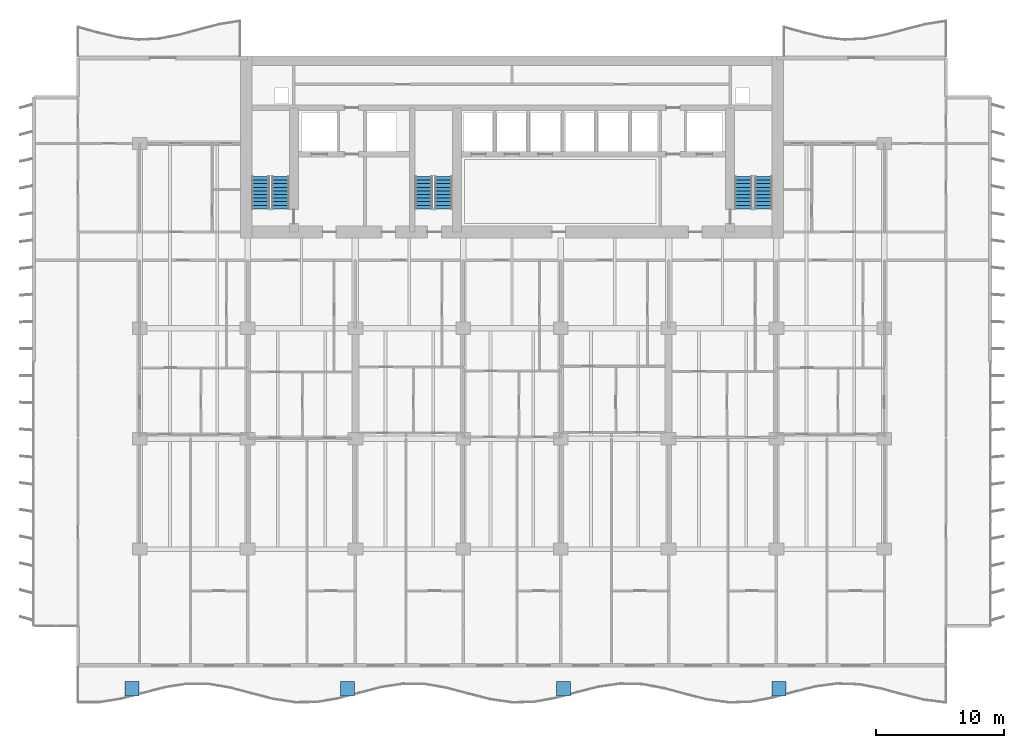
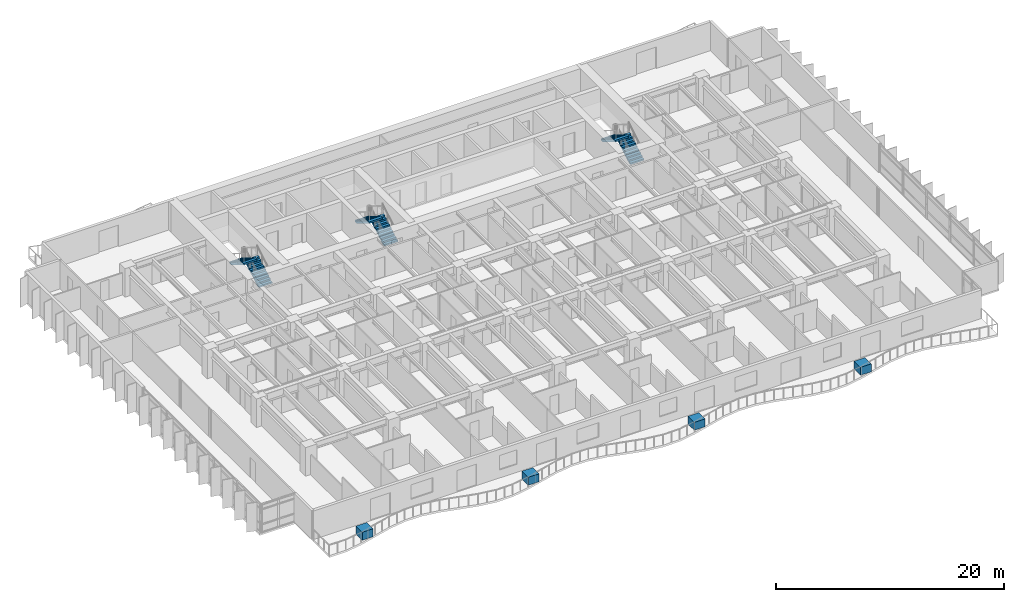
# One storey, part 14 of 18: 6 stair flights, 4 discrete accessories, 3 elements without a shape of their own.
"""IFC4 building model written with IfcOpenShell, lengths in metres."""

from ifc_helpers import new_model, si_unit, direction, frame, origin, origin_2d, place, context, subcontext, project, spatial, polyline, rectangle, outline, extrude, material, type_object, element, aggregate, save


model = new_model("IFC4")

# Units and contexts
model_context = context("Model", 3, precision=1e-05, world=origin(), true_north=direction((0.0, 1.0)))
body_context = subcontext(model_context, "Body", "Model", "MODEL_VIEW")
ifc_project = project(units=[si_unit("LENGTHUNIT", "METRE"), si_unit("AREAUNIT", "SQUARE_METRE"), si_unit("VOLUMEUNIT", "CUBIC_METRE"), si_unit("PLANEANGLEUNIT", "RADIAN"), si_unit("MASSUNIT", "GRAM", prefix="KILO")], contexts=[model_context])

# Site, building, storey
site_placement = place(None, origin())
site = spatial("IfcSite", under=ifc_project, at=site_placement, CompositionType="ELEMENT")
building_placement = place(site_placement, origin())
building = spatial("IfcBuilding", under=site, at=building_placement, Name="Caelmar Bay Residences", CompositionType="ELEMENT")
storey_placement = place(building_placement, frame((0.0, 0.0, 69.60009765625)))
storey = spatial("IfcBuildingStorey", under=building, at=storey_placement, Name="L18", CompositionType="ELEMENT", Elevation=69.60009765625)

# Stair, stair flights
ifc_material_1 = material(Name="Concrete f'c 40 MPa (6,000 psi)", Category="concrete")
stair_type = type_object("IfcStairType", Name="ST-TYP-165", PredefinedType="HALF_TURN_STAIR", material=ifc_material_1)
stair_1_placement = place(storey_placement, origin())
stair_1 = element("IfcStair", 1, at=stair_1_placement, inside=storey, type_object=stair_type, Name="L18 West Smokeproof Exit Stair ST1", PredefinedType="HALF_TURN_STAIR")
stair_flight_type = type_object("IfcStairFlightType", Name="STF-1350", PredefinedType="STRAIGHT", material=ifc_material_1)
stair_flight_1_placement = place(storey_placement, frame((20.875, 38.699951171875, 0.0), z_axis=(0.0, 0.0, 1.0), x_axis=(0.0, 1.0, 0.0)))
stair_flight_1 = element("IfcStairFlight", 2, at=stair_flight_1_placement, type_object=stair_flight_type, Name="ST1 flight 1", NumberOfRisers=10, NumberOfTreads=9, PredefinedType="STRAIGHT", RiserHeight=0.165, TreadLength=0.28, context=body_context, shape_type="SweptSolid", body=[
    extrude(outline(polyline([(0.0, 0.0), (0.0, 0.1650390625), (0.280029296875, 0.1650390625), (0.280029296875, 0.330078125), (0.56005859375, 0.330078125), (0.56005859375, 0.4951171875), (0.840087890625, 0.4951171875), (0.840087890625, 0.659912109375), (1.1201171875, 0.659912109375), (1.1201171875, 0.824951171875), (1.39990234375, 0.824951171875), (1.39990234375, 0.989990234375), (1.679931640625, 0.989990234375), (1.679931640625, 1.155029296875), (1.9599609375, 1.155029296875), (1.9599609375, 1.320068359375), (2.239990234375, 1.320068359375), (2.239990234375, 1.485107421875), (2.52001953125, 1.485107421875), (2.52001953125, 1.64990234375), (2.52001953125, 1.31103515625), (0.295166015625, 0.0), (0.0, 0.0)])), frame((0.0, 0.675048828125, 0.0), z_axis=(0.0, -1.0, 0.0), x_axis=(1.0, 0.0, 0.0)), (0.0, 0.0, 1.0), 1.35009765625),
])
stair_flight_2_placement = place(storey_placement, frame((19.324951171875, 41.219970703125, 1.64990234375), z_axis=(0.0, 0.0, 1.0), x_axis=(0.0, -1.0, 0.0)))
stair_flight_2 = element("IfcStairFlight", 3, at=stair_flight_2_placement, type_object=stair_flight_type, Name="ST1 flight 2", NumberOfRisers=10, NumberOfTreads=9, PredefinedType="STRAIGHT", RiserHeight=0.165, TreadLength=0.28, context=body_context, shape_type="SweptSolid", body=[
    extrude(outline(polyline([(0.0, 0.0), (0.0, 0.1650390625), (0.280029296875, 0.1650390625), (0.280029296875, 0.330078125), (0.56005859375, 0.330078125), (0.56005859375, 0.4951171875), (0.840087890625, 0.4951171875), (0.840087890625, 0.659912109375), (1.1201171875, 0.659912109375), (1.1201171875, 0.824951171875), (1.39990234375, 0.824951171875), (1.39990234375, 0.989990234375), (1.679931640625, 0.989990234375), (1.679931640625, 1.155029296875), (1.9599609375, 1.155029296875), (1.9599609375, 1.320068359375), (2.239990234375, 1.320068359375), (2.239990234375, 1.485107421875), (2.52001953125, 1.485107421875), (2.52001953125, 1.64990234375), (2.52001953125, 1.31103515625), (0.295166015625, 0.0), (0.0, 0.0)])), frame((0.0, 0.675048828125, 0.0), z_axis=(0.0, -1.0, 0.0), x_axis=(1.0, 0.0, 0.0)), (0.0, 0.0, 1.0), 1.35009765625),
])
aggregate(stair_1, [stair_flight_1, stair_flight_2])

stair_2_placement = place(storey_placement, origin())
stair_2 = element("IfcStair", 4, at=stair_2_placement, inside=storey, type_object=stair_type, Name="L18 East Smokeproof Exit Stair ST2", PredefinedType="HALF_TURN_STAIR")
stair_flight_3_placement = place(storey_placement, frame((58.47509765625, 38.699951171875, 0.0), z_axis=(0.0, 0.0, 1.0), x_axis=(0.0, 1.0, 0.0)))
stair_flight_3 = element("IfcStairFlight", 5, at=stair_flight_3_placement, type_object=stair_flight_type, Name="ST2 flight 1", NumberOfRisers=10, NumberOfTreads=9, PredefinedType="STRAIGHT", RiserHeight=0.165, TreadLength=0.28, context=body_context, shape_type="SweptSolid", body=[
    extrude(outline(polyline([(0.0, 0.0), (0.0, 0.1650390625), (0.280029296875, 0.1650390625), (0.280029296875, 0.330078125), (0.56005859375, 0.330078125), (0.56005859375, 0.4951171875), (0.840087890625, 0.4951171875), (0.840087890625, 0.659912109375), (1.1201171875, 0.659912109375), (1.1201171875, 0.824951171875), (1.39990234375, 0.824951171875), (1.39990234375, 0.989990234375), (1.679931640625, 0.989990234375), (1.679931640625, 1.155029296875), (1.9599609375, 1.155029296875), (1.9599609375, 1.320068359375), (2.239990234375, 1.320068359375), (2.239990234375, 1.485107421875), (2.52001953125, 1.485107421875), (2.52001953125, 1.64990234375), (2.52001953125, 1.31103515625), (0.295166015625, 0.0), (0.0, 0.0)])), frame((0.0, 0.675048828125, 0.0), z_axis=(0.0, -1.0, 0.0), x_axis=(1.0, 0.0, 0.0)), (0.0, 0.0, 1.0), 1.35009765625),
])
stair_flight_4_placement = place(storey_placement, frame((56.925048828125, 41.219970703125, 1.64990234375), z_axis=(0.0, 0.0, 1.0), x_axis=(0.0, -1.0, 0.0)))
stair_flight_4 = element("IfcStairFlight", 6, at=stair_flight_4_placement, type_object=stair_flight_type, Name="ST2 flight 2", NumberOfRisers=10, NumberOfTreads=9, PredefinedType="STRAIGHT", RiserHeight=0.165, TreadLength=0.28, context=body_context, shape_type="SweptSolid", body=[
    extrude(outline(polyline([(0.0, 0.0), (0.0, 0.1650390625), (0.280029296875, 0.1650390625), (0.280029296875, 0.330078125), (0.56005859375, 0.330078125), (0.56005859375, 0.4951171875), (0.840087890625, 0.4951171875), (0.840087890625, 0.659912109375), (1.1201171875, 0.659912109375), (1.1201171875, 0.824951171875), (1.39990234375, 0.824951171875), (1.39990234375, 0.989990234375), (1.679931640625, 0.989990234375), (1.679931640625, 1.155029296875), (1.9599609375, 1.155029296875), (1.9599609375, 1.320068359375), (2.239990234375, 1.320068359375), (2.239990234375, 1.485107421875), (2.52001953125, 1.485107421875), (2.52001953125, 1.64990234375), (2.52001953125, 1.31103515625), (0.295166015625, 0.0), (0.0, 0.0)])), frame((0.0, 0.675048828125, 0.0), z_axis=(0.0, -1.0, 0.0), x_axis=(1.0, 0.0, 0.0)), (0.0, 0.0, 1.0), 1.35009765625),
])
aggregate(stair_2, [stair_flight_3, stair_flight_4])

stair_3_placement = place(storey_placement, origin())
stair_3 = element("IfcStair", 7, at=stair_3_placement, inside=storey, type_object=stair_type, Name="L18 Central Smokeproof Exit Stair ST3", PredefinedType="HALF_TURN_STAIR")
stair_flight_5_placement = place(storey_placement, frame((33.574951171875, 38.699951171875, 0.0), z_axis=(0.0, 0.0, 1.0), x_axis=(0.0, 1.0, 0.0)))
stair_flight_5 = element("IfcStairFlight", 8, at=stair_flight_5_placement, type_object=stair_flight_type, Name="ST3 flight 1", NumberOfRisers=10, NumberOfTreads=9, PredefinedType="STRAIGHT", RiserHeight=0.165, TreadLength=0.28, context=body_context, shape_type="SweptSolid", body=[
    extrude(outline(polyline([(0.0, 0.0), (0.0, 0.1650390625), (0.280029296875, 0.1650390625), (0.280029296875, 0.330078125), (0.56005859375, 0.330078125), (0.56005859375, 0.4951171875), (0.840087890625, 0.4951171875), (0.840087890625, 0.659912109375), (1.1201171875, 0.659912109375), (1.1201171875, 0.824951171875), (1.39990234375, 0.824951171875), (1.39990234375, 0.989990234375), (1.679931640625, 0.989990234375), (1.679931640625, 1.155029296875), (1.9599609375, 1.155029296875), (1.9599609375, 1.320068359375), (2.239990234375, 1.320068359375), (2.239990234375, 1.485107421875), (2.52001953125, 1.485107421875), (2.52001953125, 1.64990234375), (2.52001953125, 1.31103515625), (0.295166015625, 0.0), (0.0, 0.0)])), frame((0.0, 0.675048828125, 0.0), z_axis=(0.0, -1.0, 0.0), x_axis=(1.0, 0.0, 0.0)), (0.0, 0.0, 1.0), 1.35009765625),
])
stair_flight_6_placement = place(storey_placement, frame((32.02490234375, 41.219970703125, 1.64990234375), z_axis=(0.0, 0.0, 1.0), x_axis=(0.0, -1.0, 0.0)))
stair_flight_6 = element("IfcStairFlight", 9, at=stair_flight_6_placement, type_object=stair_flight_type, Name="ST3 flight 2", NumberOfRisers=10, NumberOfTreads=9, PredefinedType="STRAIGHT", RiserHeight=0.165, TreadLength=0.28, context=body_context, shape_type="SweptSolid", body=[
    extrude(outline(polyline([(0.0, 0.0), (0.0, 0.1650390625), (0.280029296875, 0.1650390625), (0.280029296875, 0.330078125), (0.56005859375, 0.330078125), (0.56005859375, 0.4951171875), (0.840087890625, 0.4951171875), (0.840087890625, 0.659912109375), (1.1201171875, 0.659912109375), (1.1201171875, 0.824951171875), (1.39990234375, 0.824951171875), (1.39990234375, 0.989990234375), (1.679931640625, 0.989990234375), (1.679931640625, 1.155029296875), (1.9599609375, 1.155029296875), (1.9599609375, 1.320068359375), (2.239990234375, 1.320068359375), (2.239990234375, 1.485107421875), (2.52001953125, 1.485107421875), (2.52001953125, 1.64990234375), (2.52001953125, 1.31103515625), (0.295166015625, 0.0), (0.0, 0.0)])), frame((0.0, 0.675048828125, 0.0), z_axis=(0.0, -1.0, 0.0), x_axis=(1.0, 0.0, 0.0)), (0.0, 0.0, 1.0), 1.35009765625),
])
aggregate(stair_3, [stair_flight_5, stair_flight_6])

# Discrete accessories
ifc_material_2 = material(Name="Architectural bronze GRC planter trough with volcanic-lapilli substrate")
discrete_accessory_type = type_object("IfcDiscreteAccessoryType", Name="ACC-PLANTER-1100", PredefinedType="USERDEFINED", material=ifc_material_2)
for number, where, z_axis, x_axis, name in (
    (10, (9.300048828125, 1.318115234375, -0.000244140625), (0.0, 0.0, 1.0), (1.0, 0.0, 0.0), "L18 Balcony Structural Tree Planter 1"),
    (11, (26.10009765625, 1.318115234375, -0.000244140625), (0.0, 0.0, 1.0), (1.0, 0.0, 0.0), "L18 Balcony Structural Tree Planter 2"),
    (12, (42.89990234375, 1.318115234375, -0.000244140625), (0.0, 0.0, 1.0), (1.0, 0.0, 0.0), "L18 Balcony Structural Tree Planter 3"),
    (13, (59.699951171875, 1.318115234375, -0.000244140625), (0.0, 0.0, 1.0), (1.0, 0.0, 0.0), "L18 Balcony Structural Tree Planter 4"),
):
    element("IfcDiscreteAccessory", number, at=place(storey_placement, frame(where, z_axis=z_axis, x_axis=x_axis)), inside=storey, type_object=discrete_accessory_type, Name=name, ObjectType="PLANTER", PredefinedType="USERDEFINED", context=body_context, shape_type="SweptSolid", body=[
        extrude(rectangle(XDim=1.10009765625, YDim=1.10009765625, at=origin_2d()), origin(), (0.0, 0.0, 1.0), 0.85009765625),
    ])

save(model, "model.ifc")
